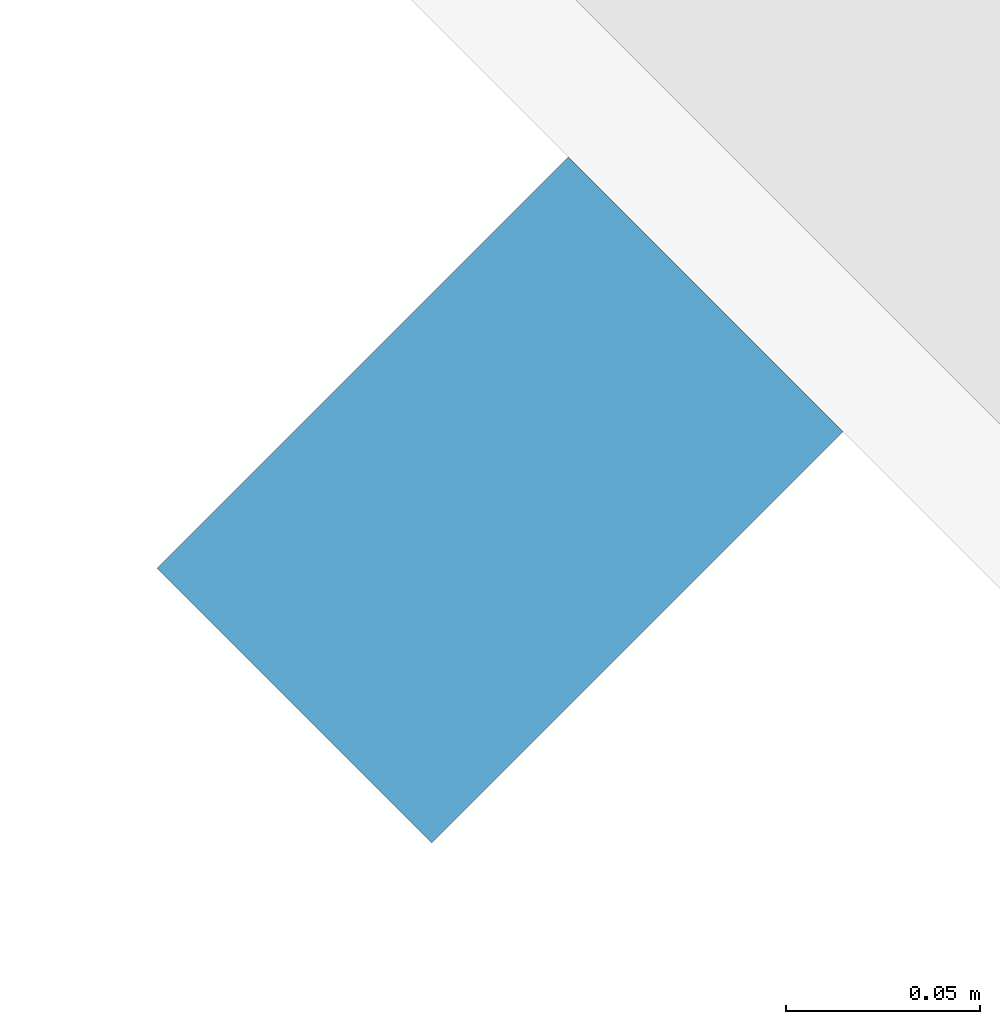
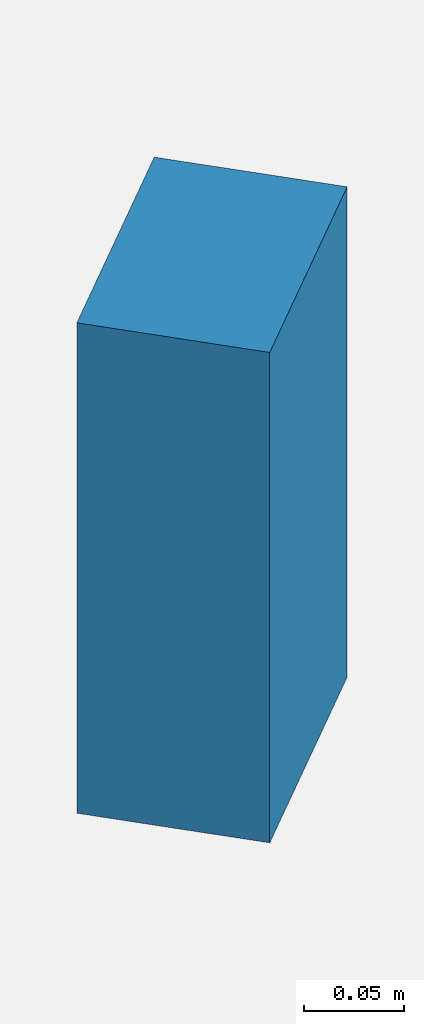
# One storey, part 9 of 31: 1 discrete accessory.
"""IFC4 building model written with IfcOpenShell, lengths in metres."""

from ifc_helpers import new_model, si_unit, direction, frame, origin, origin_2d, place, context, subcontext, project, spatial, rectangle, extrude, material, type_object, element, save


model = new_model("IFC4")

# Units and contexts
model_context = context("Model", 3, precision=1e-05, world=origin(), true_north=direction((0.0, 1.0)))
body_context = subcontext(model_context, "Body", "Model", "MODEL_VIEW")
ifc_project = project(units=[si_unit("LENGTHUNIT", "METRE"), si_unit("AREAUNIT", "SQUARE_METRE"), si_unit("VOLUMEUNIT", "CUBIC_METRE"), si_unit("PLANEANGLEUNIT", "RADIAN"), si_unit("MASSUNIT", "GRAM", prefix="KILO")], contexts=[model_context])

# Site, building, storey
site_placement = place(None, origin())
site = spatial("IfcSite", under=ifc_project, at=site_placement, CompositionType="ELEMENT")
building_placement = place(site_placement, origin())
building = spatial("IfcBuilding", under=site, at=building_placement, Name="Qamariyya Broadcast Tower", CompositionType="ELEMENT")
storey_placement = place(building_placement, frame((0.0, 0.0, 74.699951171875)))
storey = spatial("IfcBuildingStorey", under=building, at=storey_placement, Name="L15", CompositionType="ELEMENT", Elevation=74.699951171875)

# Discrete accessory
ifc_material = material(Name="Stainless steel 316", Category="steel")
discrete_accessory_type = type_object("IfcDiscreteAccessoryType", Name="Slab edge fixing angle, stainless steel", PredefinedType="BRACKET", material=ifc_material)
discrete_accessory_placement = place(storey_placement, frame((-53.49072265625, -59.01611328125, 3.2998046875), z_axis=(0.0, 0.0, 1.0), x_axis=(0.707106781187, -0.707106781187, 0.0)))
element("IfcDiscreteAccessory", 1, at=discrete_accessory_placement, inside=storey, type_object=discrete_accessory_type, Name="e-br-L15-02-0", PredefinedType="BRACKET", context=body_context, shape_type="SweptSolid", body=[
    extrude(rectangle(XDim=0.10009765625, YDim=0.14990234375, at=origin_2d()), origin(), (0.0, 0.0, 1.0), 0.300048828125),
])

save(model, "model.ifc")
